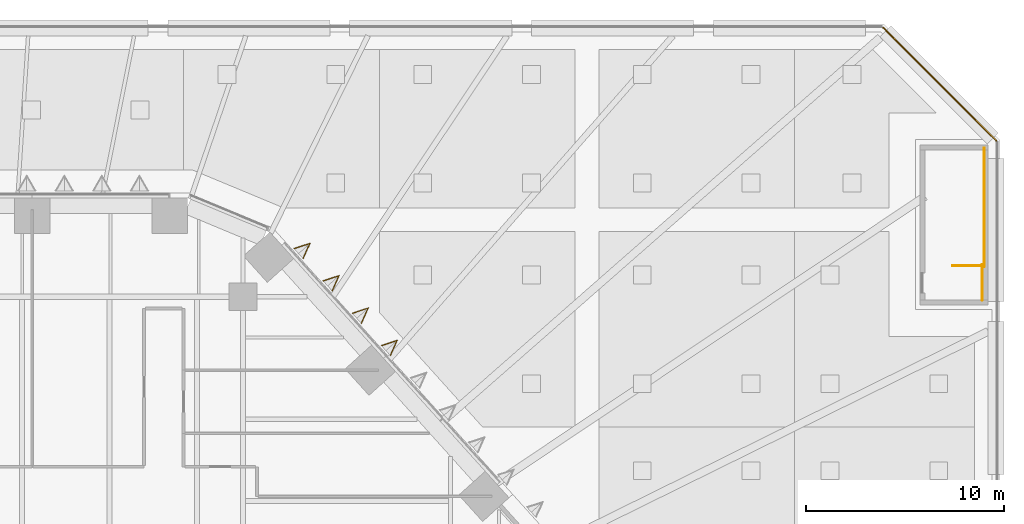
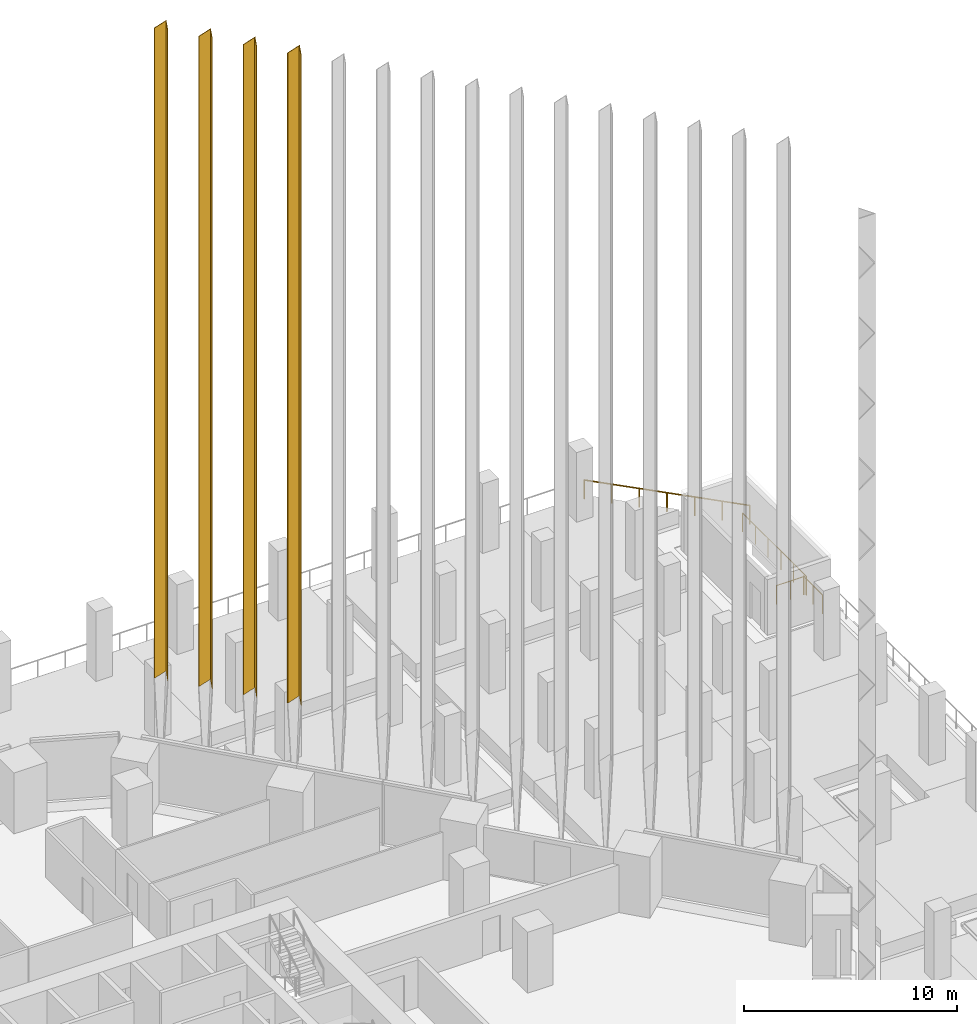
# One storey, part 46 of 51: 4 coverings, 4 railings.
"""IFC4 building model written with IfcOpenShell, lengths in metres."""

import ifcopenshell
import ifcopenshell.guid

model = None  # the IFC model being written
_history = None  # IfcOwnerHistory: only IFC2X3 demands one
_inside = {}  # id of a spatial element -> (the spatial element, [elements in it])
_under = {}  # id of a project, library or spatial element -> (it, [spatial elements below it])
_declared = {}  # id of a project -> (the project, [libraries it declares])
_typed = {}  # id of a type object -> (the type object, [elements of that type])
_made_of = {}  # id of a material, layer set ... -> (it, [elements and type objects made of it])


def new_model(schema):
    """Start an empty IFC model of exactly this schema.

    Asked for "IFC4X3", IfcOpenShell would pick the latest addendum, in which some entities
    have other attributes; the version numbers below select the first issue.
    IFC2X3 requires an IfcOwnerHistory on every rooted entity: one is made here for all.
    """
    global model, _history
    if schema == "IFC4X3":
        model = ifcopenshell.file(schema_version=(4, 3, 0, 0))
    else:
        model = ifcopenshell.file(schema=schema)
    _inside.clear()
    _under.clear()
    _declared.clear()
    _typed.clear()
    _made_of.clear()
    _history = None
    if model.schema == "IFC2X3":
        org = make("IfcOrganization", Name="unknown")
        user = make(
            "IfcPersonAndOrganization",
            ThePerson=make("IfcPerson", FamilyName="unknown"),
            TheOrganization=org,
        )
        app = make(
            "IfcApplication",
            ApplicationDeveloper=org,
            Version="unknown",
            ApplicationFullName="unknown",
            ApplicationIdentifier="unknown",
        )
        _history = make(
            "IfcOwnerHistory",
            OwningUser=user,
            OwningApplication=app,
            ChangeAction="ADDED",
            CreationDate=0,
        )
    return model


def make(cls, **values):
    """One entity of the class cls with the attributes given. An attribute that is None is left unset."""
    return model.create_entity(
        cls, **{name: value for name, value in values.items() if value is not None}
    )


def rooted(cls, **values):
    """An entity with a GlobalId (a new one), such as an element, a storey or a relation."""
    return make(cls, GlobalId=ifcopenshell.guid.new(), OwnerHistory=_history, **values)


def si_unit(unit_type, name, prefix=None):
    """IfcSIUnit, for example si_unit("LENGTHUNIT", "METRE", prefix="MILLI")."""
    return make("IfcSIUnit", UnitType=unit_type, Prefix=prefix, Name=name)


def assignment(units):
    """IfcUnitAssignment: the units of a project."""
    return None if units is None else make("IfcUnitAssignment", Units=units)


def point(xyz):
    """IfcCartesianPoint."""
    return None if xyz is None else make("IfcCartesianPoint", Coordinates=xyz)


def direction(xyz):
    """IfcDirection."""
    return None if xyz is None else make("IfcDirection", DirectionRatios=xyz)


def frame(location, z_axis=None, x_axis=None):
    """IfcAxis2Placement3D, a coordinate frame: its origin and axes. An axis left out is left unset."""
    return make(
        "IfcAxis2Placement3D",
        Location=point(location),
        Axis=direction(z_axis),
        RefDirection=direction(x_axis),
    )


def frame_2d(location, x_axis=None):
    """IfcAxis2Placement2D, a coordinate frame in the plane: its origin and x axis."""
    return make(
        "IfcAxis2Placement2D", Location=point(location), RefDirection=direction(x_axis)
    )


def origin():
    """The frame at (0, 0, 0) with its axes left unset."""
    return frame((0.0, 0.0, 0.0))


def origin_2d():
    """The frame at (0, 0) in the plane with its x axis left unset."""
    return frame_2d((0.0, 0.0))


def place(relative_to, where):
    """IfcLocalPlacement: puts the frame where relative to a parent placement (None: the world)."""
    return make(
        "IfcLocalPlacement", PlacementRelTo=relative_to, RelativePlacement=where
    )


def context(
    kind, dimensions, precision=None, world=None, true_north=None, identifier=None
):
    """IfcGeometricRepresentationContext, for example the 3D "Model" context."""
    return make(
        "IfcGeometricRepresentationContext",
        ContextIdentifier=identifier,
        ContextType=kind,
        CoordinateSpaceDimension=dimensions,
        Precision=precision,
        WorldCoordinateSystem=world,
        TrueNorth=true_north,
    )


def subcontext(parent, identifier, kind, view, scale=None):
    """IfcGeometricRepresentationSubContext, for example "Body" below "Model"."""
    return make(
        "IfcGeometricRepresentationSubContext",
        ContextIdentifier=identifier,
        ContextType=kind,
        ParentContext=parent,
        TargetScale=scale,
        TargetView=view,
    )


def project(units=None, contexts=None):
    """IfcProject with its units and contexts."""
    return rooted(
        "IfcProject",
        Name="project",
        RepresentationContexts=contexts,
        UnitsInContext=assignment(units),
    )


def spatial(cls, under=None, at=None, **own):
    """A site, building, storey or space (cls), placed at a placement, below another one or the project."""
    s = rooted(cls, ObjectPlacement=at, **own)
    if under is not None:
        _under.setdefault(under.id(), (under, []))[1].append(s)
    return s


def polyline(points):
    """IfcPolyline through the points."""
    return make("IfcPolyline", Points=[point(p) for p in points])


def profile(cls, at=None, kind="AREA", **sizes):
    """A parametric profile (cls). Its sizes go by their IFC names, for example OverallWidth=200.0."""
    return make(cls, ProfileType=kind, Position=at, **sizes)


def circle(**sizes):
    """IfcCircleProfileDef."""
    return profile("IfcCircleProfileDef", **sizes)


def outline(outer, holes=None, kind="AREA"):
    """IfcArbitraryClosedProfileDef: a profile drawn as a closed curve; with holes, ...WithVoids."""
    if holes is None:
        return make("IfcArbitraryClosedProfileDef", ProfileType=kind, OuterCurve=outer)
    return make(
        "IfcArbitraryProfileDefWithVoids",
        ProfileType=kind,
        OuterCurve=outer,
        InnerCurves=holes,
    )


def extrude(swept, where, along, depth):
    """IfcExtrudedAreaSolid: the profile swept, set in the frame where, extruded along a direction by depth."""
    return make(
        "IfcExtrudedAreaSolid",
        SweptArea=swept,
        Position=where,
        ExtrudedDirection=direction(along),
        Depth=depth,
    )


def shape(context_of_items, identifier, shape_type, items):
    """IfcShapeRepresentation: the items that make up one representation, for example the "Body"."""
    return make(
        "IfcShapeRepresentation",
        ContextOfItems=context_of_items,
        RepresentationIdentifier=identifier,
        RepresentationType=shape_type,
        Items=items,
    )


def material(Name=None, Category=None):
    """IfcMaterial."""
    return make("IfcMaterial", Name=Name, Category=Category)


def material_profile(
    of_material, cross_section, Name=None, Category=None, Priority=None
):
    """IfcMaterialProfile: a cross section and its material."""
    return make(
        "IfcMaterialProfile",
        Name=Name,
        Material=of_material,
        Profile=cross_section,
        Priority=Priority,
        Category=Category,
    )


def profile_set(profiles, Name=None, composite=None):
    """IfcMaterialProfileSet."""
    return make(
        "IfcMaterialProfileSet",
        Name=Name,
        MaterialProfiles=profiles,
        CompositeProfile=composite,
    )


def made_of(thing, what):
    """Note that an element or type object is made of a material, layer set ...; save() writes the relation."""
    if what is not None:
        _made_of.setdefault(what.id(), (what, []))[1].append(thing)
    return thing


def type_object(cls, material=None, **own):
    """A type object (cls), such as IfcWallType, which elements share."""
    return made_of(rooted(cls, **own), material)


def element(
    cls,
    number,
    at=None,
    inside=None,
    cuts=None,
    type_object=None,
    material=None,
    context=None,
    identifier="Body",
    shape_type=None,
    held_by="IfcProductDefinitionShape",
    body=None,
    shapes=None,
    **own,
):
    """One element of the class cls, such as IfcWall. Its Tag is "e" and its number.

    at: its placement. inside: the storey or other place that contains it. cuts: it is an
    opening in that element (IfcRelVoidsElement). A single representation is given by context,
    identifier, shape_type and body (its items); several are given by shapes. held_by: the class
    of the entity that holds the representations. save() writes the other relations.
    """
    e = rooted(cls, Tag="e%d" % number, ObjectPlacement=at, **own)
    if body is not None:
        shapes = [shape(context, identifier, shape_type, body)]
    if shapes is not None:
        e.Representation = make(held_by, Representations=shapes)
    if inside is not None:
        _inside.setdefault(inside.id(), (inside, []))[1].append(e)
    if cuts is not None:
        rooted(
            "IfcRelVoidsElement", RelatingBuildingElement=cuts, RelatedOpeningElement=e
        )
    if type_object is not None:
        _typed.setdefault(type_object.id(), (type_object, []))[1].append(e)
    return made_of(e, material)


def aggregate(whole, parts):
    """IfcRelAggregates: a whole, such as a stair, and the parts it consists of."""
    return rooted("IfcRelAggregates", RelatingObject=whole, RelatedObjects=parts)


def save(model, path):
    """Write the relations noted so far, then the file.

    IfcRelAggregates (storeys below a building ...), IfcRelContainedInSpatialStructure (elements
    in a storey), IfcRelDefinesByType, IfcRelAssociatesMaterial and IfcRelDeclares: one each for
    every whole, place, type object, material and project.
    """
    for whole, parts in _under.values():
        aggregate(whole, parts)
    for where, things in _inside.values():
        rooted(
            "IfcRelContainedInSpatialStructure",
            RelatedElements=things,
            RelatingStructure=where,
        )
    for kind, things in _typed.values():
        rooted("IfcRelDefinesByType", RelatedObjects=things, RelatingType=kind)
    for what, things in _made_of.values():
        rooted("IfcRelAssociatesMaterial", RelatedObjects=things, RelatingMaterial=what)
    for by, libraries in _declared.values():
        rooted("IfcRelDeclares", RelatingContext=by, RelatedDefinitions=libraries)
    model.write(path)


model = new_model("IFC4")

# Units and contexts
model_context = context("Model", 3, precision=1e-05, world=origin(), true_north=direction((0.0, 1.0)))
body_context = subcontext(model_context, "Body", "Model", "MODEL_VIEW")
ifc_project = project(units=[si_unit("LENGTHUNIT", "METRE"), si_unit("AREAUNIT", "SQUARE_METRE"), si_unit("VOLUMEUNIT", "CUBIC_METRE"), si_unit("PLANEANGLEUNIT", "RADIAN"), si_unit("MASSUNIT", "GRAM", prefix="KILO")], contexts=[model_context])

# Site, building, storey
site_placement = place(None, origin())
site = spatial("IfcSite", under=ifc_project, at=site_placement, CompositionType="ELEMENT")
building_placement = place(site_placement, origin())
building = spatial("IfcBuilding", under=site, at=building_placement, Name="Isthmus Gate Tower", CompositionType="ELEMENT")
storey_placement = place(building_placement, frame((0.0, 0.0, 36.0)))
storey = spatial("IfcBuildingStorey", under=building, at=storey_placement, Name="L06", CompositionType="ELEMENT", Elevation=36.0)

# Coverings
ifc_material_1 = material(Name="Structural steel ASTM A572 Gr 50, white paint system", Category="steel")
ifc_material_profile = material_profile(ifc_material_1, outline(polyline([(0.0, -0.356201171875), (0.800048828125, 0.0), (0.0, 0.356201171875), (0.0, 0.3232421875), (0.726318359375, 0.0), (0.0, -0.3232421875), (0.0, -0.356201171875)])), Name="V800")
ifc_profile_set = profile_set([ifc_material_profile], Name="Structural steel ASTM A572 Gr 50, white paint system")
covering_type = type_object("IfcCoveringType", Name="FIN V 800 DEEP", PredefinedType="CLADDING", material=ifc_profile_set)
for number, where, z_axis, x_axis, name in (
    (1, (20.731689453125, 24.2763671875, 6.89990234375), (0.0, 0.0, 1.0), (0.743144825477, 0.669130606359, 0.0), "FIN"),
    (2, (19.259521484375, 25.911376953125, 6.89990234375), (0.0, 0.0, 1.0), (0.743144825477, 0.669130606359, 0.0), "FIN"),
    (3, (17.787353515625, 27.54638671875, 6.89990234375), (0.0, 0.0, 1.0), (0.743144825477, 0.669130606359, 0.0), "FIN"),
    (4, (16.3154296875, 29.18115234375, 6.89990234375), (0.0, 0.0, 1.0), (0.743144825477, 0.669130606359, 0.0), "FIN"),
):
    element("IfcCovering", number, at=place(storey_placement, frame(where, z_axis=z_axis, x_axis=x_axis)), inside=storey, type_object=covering_type, Name=name, ObjectType="FIN", PredefinedType="CLADDING", context=body_context, shape_type="SweptSolid", body=[
        extrude(outline(polyline([(0.0, -0.356201171875), (0.800048828125, 0.0), (0.0, 0.356201171875), (0.0, 0.3232421875), (0.726318359375, 0.0), (0.0, -0.3232421875), (0.0, -0.356201171875)])), origin(), (0.0, 0.0, 1.0), 37.35009765625),
    ])

# Railings
ifc_material_2 = material(Name="Stainless steel posts and toughened laminated glass", Category="steel")
railing_type_1 = type_object("IfcRailingType", Name="GUARD 1100 TERRACE GLASS", PredefinedType="GUARDRAIL", material=ifc_material_2)
railing_1_placement = place(storey_placement, frame((45.8974609375, 40.607666015625, 0.0)))
element("IfcRailing", 5, at=railing_1_placement, inside=storey, type_object=railing_type_1, Name="TERRACE GUARD", PredefinedType="GUARDRAIL", context=body_context, shape_type="SweptSolid", body=[
    extrude(circle(Radius=0.02490234375, at=origin_2d()), frame((0.0, 0.0, 1.0751953125), z_axis=(0.707106781187, -0.707106781187, 0.0), x_axis=(0.707106781187, 0.707106781187, 0.0)), (0.0, 0.0, 1.0), 8.075439453125),
    extrude(circle(Radius=0.02490234375, at=origin_2d()), origin(), (0.0, 0.0, 1.0), 1.050048828125),
    extrude(circle(Radius=0.02490234375, at=origin_2d()), frame((0.95166015625, -0.95166015625, 0.0)), (0.0, 0.0, 1.0), 1.050048828125),
    extrude(circle(Radius=0.02490234375, at=origin_2d()), frame((1.9033203125, -1.9033203125, 0.0)), (0.0, 0.0, 1.0), 1.050048828125),
    extrude(circle(Radius=0.02490234375, at=origin_2d()), frame((2.85498046875, -2.85498046875, 0.0)), (0.0, 0.0, 1.0), 1.050048828125),
    extrude(circle(Radius=0.02490234375, at=origin_2d()), frame((3.806884765625, -3.806884765625, 0.0)), (0.0, 0.0, 1.0), 1.050048828125),
    extrude(circle(Radius=0.02490234375, at=origin_2d()), frame((4.758544921875, -4.758544921875, 0.0)), (0.0, 0.0, 1.0), 1.050048828125),
    extrude(circle(Radius=0.02490234375, at=origin_2d()), frame((5.710205078125, -5.710205078125, 0.0)), (0.0, 0.0, 1.0), 1.050048828125),
])
ifc_material_3 = material(Name="Painted steel balusters with timber handrail", Category="steel")
railing_type_2 = type_object("IfcRailingType", Name="Podium stair guard 1100", PredefinedType="GUARDRAIL", material=ifc_material_3)
railing_2_placement = place(storey_placement, frame((50.949951171875, 28.574951171875, 0.0)))
element("IfcRailing", 6, at=railing_2_placement, inside=storey, type_object=railing_type_2, Name="L06 ST5 top well guard 1", PredefinedType="GUARDRAIL", context=body_context, shape_type="SweptSolid", body=[
    extrude(circle(Radius=0.02392578125, at=origin_2d()), frame((0.0, 0.0, 1.076171875), z_axis=(-1.0, 0.0, 0.0), x_axis=(0.0, -1.0, 0.0)), (0.0, 0.0, 1.0), 1.550048828125),
    extrude(circle(Radius=0.02099609375, at=origin_2d()), origin(), (0.0, 0.0, 1.0), 1.052001953125),
    extrude(circle(Radius=0.02099609375, at=origin_2d()), frame((-0.77490234375, 0.0, 0.0)), (0.0, 0.0, 1.0), 1.052001953125),
    extrude(circle(Radius=0.02099609375, at=origin_2d()), frame((-1.550048828125, 0.0, 0.0)), (0.0, 0.0, 1.0), 1.052001953125),
])
railing_3_placement = place(storey_placement, frame((51.0, 28.52490234375, 0.0)))
element("IfcRailing", 7, at=railing_3_placement, inside=storey, type_object=railing_type_2, Name="L06 ST5 top well guard 2", PredefinedType="GUARDRAIL", context=body_context, shape_type="SweptSolid", body=[
    extrude(circle(Radius=0.02392578125, at=origin_2d()), frame((0.0, 0.0, 1.076171875), z_axis=(0.0, 1.0, 0.0), x_axis=(-1.0, 0.0, 0.0)), (0.0, 0.0, 1.0), 6.0),
    extrude(circle(Radius=0.02099609375, at=origin_2d()), origin(), (0.0, 0.0, 1.0), 1.052001953125),
    extrude(circle(Radius=0.02099609375, at=origin_2d()), frame((0.0, 1.199951171875, 0.0)), (0.0, 0.0, 1.0), 1.052001953125),
    extrude(circle(Radius=0.02099609375, at=origin_2d()), frame((0.0, 2.39990234375, 0.0)), (0.0, 0.0, 1.0), 1.052001953125),
    extrude(circle(Radius=0.02099609375, at=origin_2d()), frame((0.0, 3.60009765625, 0.0)), (0.0, 0.0, 1.0), 1.052001953125),
    extrude(circle(Radius=0.02099609375, at=origin_2d()), frame((0.0, 4.800048828125, 0.0)), (0.0, 0.0, 1.0), 1.052001953125),
    extrude(circle(Radius=0.02099609375, at=origin_2d()), frame((0.0, 6.0, 0.0)), (0.0, 0.0, 1.0), 1.052001953125),
])
railing_4_placement = place(storey_placement, frame((50.89990234375, 26.824951171875, 0.0)))
element("IfcRailing", 8, at=railing_4_placement, inside=storey, type_object=railing_type_2, Name="L06 ST5 top well guard 3", PredefinedType="GUARDRAIL", context=body_context, shape_type="SweptSolid", body=[
    extrude(circle(Radius=0.02392578125, at=origin_2d()), frame((0.0, 0.0, 1.076171875), z_axis=(0.0, 1.0, 0.0), x_axis=(-1.0, 0.0, 0.0)), (0.0, 0.0, 1.0), 1.800048828125),
    extrude(circle(Radius=0.02099609375, at=origin_2d()), origin(), (0.0, 0.0, 1.0), 1.052001953125),
    extrude(circle(Radius=0.02099609375, at=origin_2d()), frame((0.0, 0.89990234375, 0.0)), (0.0, 0.0, 1.0), 1.052001953125),
    extrude(circle(Radius=0.02099609375, at=origin_2d()), frame((0.0, 1.800048828125, 0.0)), (0.0, 0.0, 1.0), 1.052001953125),
])

save(model, "model.ifc")
